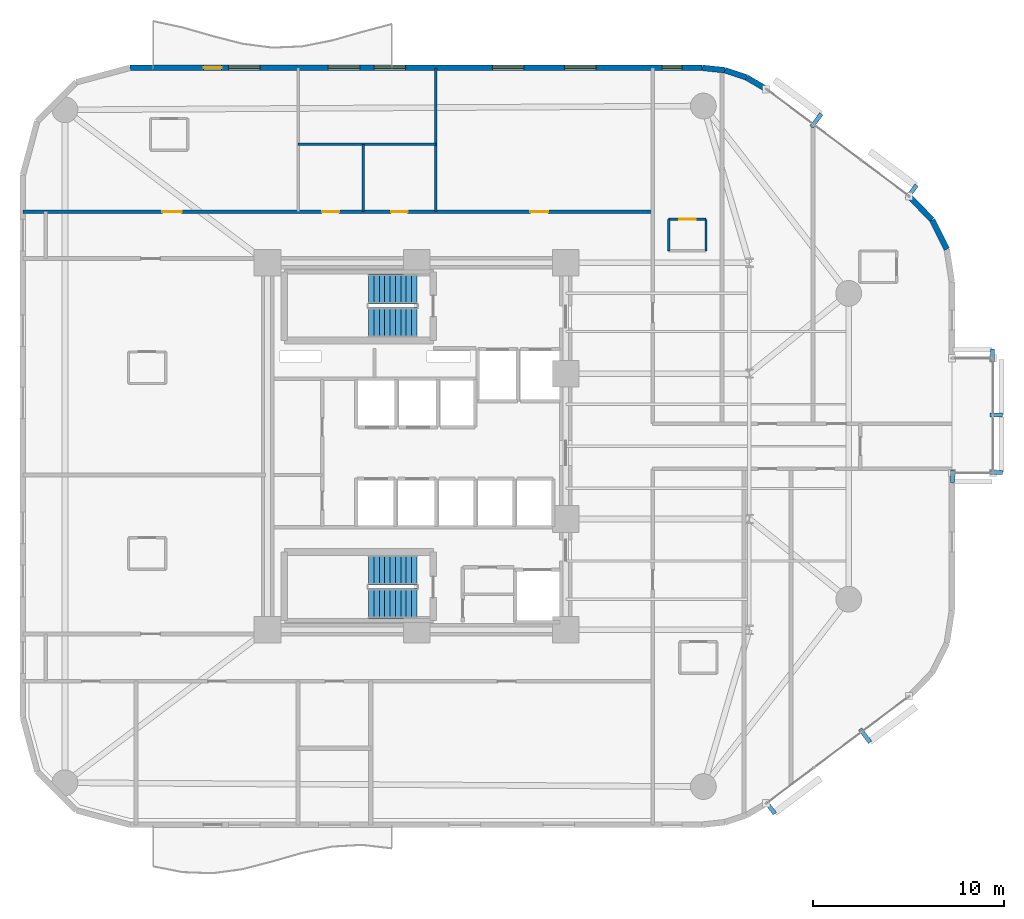
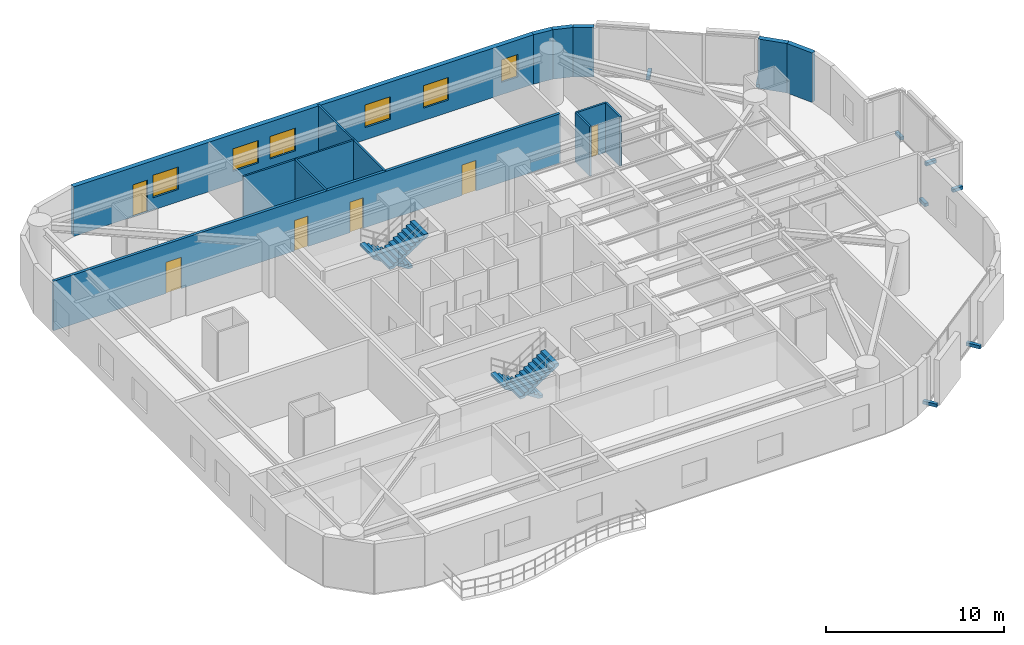
# One storey, part 11 of 14: 13 walls, 8 discrete accessories, 6 doors, 6 windows, 4 stair flights, 12 openings, 2 elements without a shape of their own.
"""IFC4 building model written with IfcOpenShell, lengths in metres."""

from ifc_helpers import new_model, si_unit, direction, frame, frame_2d, origin, origin_2d, place, context, subcontext, project, spatial, polyline, rectangle, outline, extrude, material, layer, layer_set, type_object, element, fill, aggregate, save


model = new_model("IFC4")

# Units and contexts
model_context = context("Model", 3, precision=1e-05, world=origin(), true_north=direction((0.0, 1.0)))
body_context = subcontext(model_context, "Body", "Model", "MODEL_VIEW")
ifc_project = project(units=[si_unit("LENGTHUNIT", "METRE"), si_unit("AREAUNIT", "SQUARE_METRE"), si_unit("VOLUMEUNIT", "CUBIC_METRE"), si_unit("PLANEANGLEUNIT", "RADIAN"), si_unit("MASSUNIT", "GRAM", prefix="KILO")], contexts=[model_context])

# Site, building, storey
site_placement = place(None, origin())
site = spatial("IfcSite", under=ifc_project, at=site_placement, CompositionType="ELEMENT")
building_placement = place(site_placement, origin())
building = spatial("IfcBuilding", under=site, at=building_placement, Name="An Khanh Terracotta Commons", CompositionType="ELEMENT")
storey_placement = place(building_placement, frame((0.0, 0.0, 93.5)))
storey = spatial("IfcBuildingStorey", under=building, at=storey_placement, Name="L24", CompositionType="ELEMENT", Elevation=93.5)

# Wall, openings, doors
ifc_material_1 = material(Name="Fire-Rated Gypsum Board on Steel Stud", Category="steel")
ifc_layer_1 = layer(ifc_material_1, 0.179931640625, Name="Fire-Rated Gypsum Board on Steel Stud")
ifc_layer_set_1 = layer_set([ifc_layer_1], Name="Fire-Rated Gypsum Board on Steel Stud")
wall_type_1 = type_object("IfcWallType", Name="WALL-CORR-180", PredefinedType="PARTITIONING", material=ifc_layer_set_1)
wall_1_placement = place(storey_placement, frame((8.800048828125, 36.280029296875, 0.0), z_axis=(0.0, 0.0, 1.0), x_axis=(1.0, 0.0, 0.0)))
wall_1 = element("IfcWall", 1, at=wall_1_placement, inside=storey, type_object=wall_type_1, Name="L24 Interior Partition IW-L24-E008", PredefinedType="PARTITIONING", context=body_context, shape_type="SweptSolid", body=[
    extrude(rectangle(XDim=32.949951171875, YDim=0.179931640625, at=frame_2d((16.47509765625, 0.0))), origin(), (0.0, 0.0, 1.0), 3.39990234375),
])
opening_1_placement = place(wall_1_placement, frame((15.64990234375, 0.0, 0.0)))
opening_1 = element("IfcOpeningElement", 2, at=opening_1_placement, cuts=wall_1, Name="Opening D-WC", PredefinedType="OPENING", context=body_context, shape_type="SweptSolid", body=[
    extrude(rectangle(XDim=0.89990234375, YDim=2.10009765625, at=frame_2d((0.449951171875, 1.050048828125))), frame((0.0, 0.099853515625, 0.0), z_axis=(0.0, -1.0, 0.0), x_axis=(1.0, 0.0, 0.0)), (0.0, 0.0, 1.0), 0.199951171875),
])
opening_2_placement = place(wall_1_placement, frame((19.27001953125, 0.0, 0.0)))
opening_2 = element("IfcOpeningElement", 3, at=opening_2_placement, cuts=wall_1, Name="Opening D-ENS", PredefinedType="OPENING", context=body_context, shape_type="SweptSolid", body=[
    extrude(rectangle(XDim=0.860107421875, YDim=2.10009765625, at=frame_2d((0.43017578125, 1.050048828125))), frame((0.0, 0.099853515625, 0.0), z_axis=(0.0, -1.0, 0.0), x_axis=(1.0, 0.0, 0.0)), (0.0, 0.0, 1.0), 0.199951171875),
])
opening_3_placement = place(wall_1_placement, frame((7.300048828125, 0.0, 0.0)))
opening_3 = element("IfcOpeningElement", 4, at=opening_3_placement, cuts=wall_1, Name="Opening D-UN", PredefinedType="OPENING", context=body_context, shape_type="SweptSolid", body=[
    extrude(rectangle(XDim=1.0, YDim=2.14990234375, at=frame_2d((0.5, 1.074951171875))), frame((0.0, 0.099853515625, 0.0), z_axis=(0.0, -1.0, 0.0), x_axis=(1.0, 0.0, 0.0)), (0.0, 0.0, 1.0), 0.199951171875),
])
opening_4_placement = place(wall_1_placement, frame((26.554931640625, 0.0, 0.0)))
opening_4 = element("IfcOpeningElement", 5, at=opening_4_placement, cuts=wall_1, Name="Opening D-RM", PredefinedType="OPENING", context=body_context, shape_type="SweptSolid", body=[
    extrude(rectangle(XDim=0.919921875, YDim=2.10009765625, at=frame_2d((0.4599609375, 1.050048828125))), frame((0.0, 0.099853515625, 0.0), z_axis=(0.0, -1.0, 0.0), x_axis=(1.0, 0.0, 0.0)), (0.0, 0.0, 1.0), 0.199951171875),
])
ifc_material_2 = material(Name="Moisture-Resistant Hardwood Timber Leaf", Category="wood")
door_type_1 = type_object("IfcDoorType", Name="DOOR-BATH-860", OperationType="NOTDEFINED", PredefinedType="DOOR", material=ifc_material_2)
door_1_placement = place(opening_2_placement, origin())
door_1 = element("IfcDoor", 6, at=door_1_placement, inside=storey, type_object=door_type_1, Name="L24 SHW Resident Shared Shower and Washroom Door", OperationType="SINGLE_SWING_RIGHT", OverallHeight=2.10009765625, OverallWidth=0.860107421875, PredefinedType="DOOR", context=body_context, shape_type="SweptSolid", body=[
    extrude(rectangle(XDim=0.860107421875, YDim=2.10009765625, at=frame_2d((0.43017578125, 1.050048828125))), frame((0.0, 0.02490234375, 0.0), z_axis=(0.0, -1.0, 0.0), x_axis=(1.0, 0.0, 0.0)), (0.0, 0.0, 1.0), 0.050048828125),
])
fill(opening_2, door_1)
ifc_material_3 = material(Name="Engineered Hardwood Timber Leaf", Category="wood")
door_type_2 = type_object("IfcDoorType", Name="DOOR-INT-920", OperationType="NOTDEFINED", PredefinedType="DOOR", material=ifc_material_3)
door_2_placement = place(opening_4_placement, origin())
door_2 = element("IfcDoor", 7, at=door_2_placement, inside=storey, type_object=door_type_2, Name="L24 NWE Quiet Focus Office Door", OperationType="SINGLE_SWING_RIGHT", OverallHeight=2.10009765625, OverallWidth=0.919921875, PredefinedType="DOOR", context=body_context, shape_type="SweptSolid", body=[
    extrude(rectangle(XDim=0.919921875, YDim=2.10009765625, at=frame_2d((0.4599609375, 1.050048828125))), frame((0.0, 0.02490234375, 0.0), z_axis=(0.0, -1.0, 0.0), x_axis=(1.0, 0.0, 0.0)), (0.0, 0.0, 1.0), 0.050048828125),
])
fill(opening_4, door_2)
ifc_material_4 = material(Name="Solid-Core Hardwood Acoustic Fire Door", Category="wood")
door_type_3 = type_object("IfcDoorType", Name="DOOR-UNIT-1000", OperationType="NOTDEFINED", PredefinedType="DOOR", material=ifc_material_4)
door_3_placement = place(opening_3_placement, origin())
door_3 = element("IfcDoor", 8, at=door_3_placement, inside=storey, type_object=door_type_3, Name="L24 NW1 Kitchenette and Studio Apartment Door", OperationType="SINGLE_SWING_LEFT", OverallHeight=2.14990234375, OverallWidth=1.0, PredefinedType="DOOR", context=body_context, shape_type="SweptSolid", body=[
    extrude(rectangle(XDim=1.0, YDim=2.14990234375, at=frame_2d((0.5, 1.074951171875))), frame((0.0, 0.02490234375, 0.0), z_axis=(0.0, -1.0, 0.0), x_axis=(1.0, 0.0, 0.0)), (0.0, 0.0, 1.0), 0.050048828125),
])
fill(opening_3, door_3)
ifc_material_5 = material(Name="Laminate Moisture-Resistant Timber Leaf", Category="wood")
door_type_4 = type_object("IfcDoorType", Name="DOOR-WC-900", OperationType="NOTDEFINED", PredefinedType="DOOR", material=ifc_material_5)
door_4_placement = place(opening_1_placement, origin())
door_4 = element("IfcDoor", 9, at=door_4_placement, inside=storey, type_object=door_type_4, Name="L24 AWC Accessible WC Door", OperationType="SINGLE_SWING_LEFT", OverallHeight=2.10009765625, OverallWidth=0.89990234375, PredefinedType="DOOR", context=body_context, shape_type="SweptSolid", body=[
    extrude(rectangle(XDim=0.89990234375, YDim=2.10009765625, at=frame_2d((0.449951171875, 1.050048828125))), frame((0.0, 0.02490234375, 0.0), z_axis=(0.0, -1.0, 0.0), x_axis=(1.0, 0.0, 0.0)), (0.0, 0.0, 1.0), 0.050048828125),
])
fill(opening_1, door_4)

# Walls
ifc_material_6 = material(Name="Precast concrete C40/50", Category="concrete")
ifc_layer_2 = layer(ifc_material_6, 0.300048828125, Name="Precast concrete C40/50")
ifc_layer_set_2 = layer_set([ifc_layer_2], Name="Precast concrete C40/50")
wall_type_2 = type_object("IfcWallType", Name="WALL-EXT-300", PredefinedType="SOLIDWALL", material=ifc_layer_set_2)
for number, where, z_axis, x_axis, name in (
    (10, (57.135009765625, 34.303955078125, 0.0), (0.0, 0.0, 1.0), (-0.4472135955, 0.894427191, 0.0), "L24 Insulated Terracotta Exterior Wall 14"),
    (11, (56.364013671875, 35.845947265625, 0.0), (0.0, 0.0, 1.0), (-0.6983450845, 0.715761233201, 0.0), "L24 Insulated Terracotta Exterior Wall 15"),
):
    element("IfcWall", number, at=place(storey_placement, frame(where, z_axis=z_axis, x_axis=x_axis)), inside=storey, type_object=wall_type_2, Name=name, PredefinedType="SOLIDWALL", context=body_context, shape_type="SweptSolid", body=[
        extrude(rectangle(XDim=1.72412109375, YDim=0.300048828125, at=frame_2d((0.862060546875, 0.0))), origin(), (0.0, 0.0, 1.0), 3.39990234375),
    ])
wall_2_placement = place(storey_placement, frame((47.693115234375, 42.679931640625, 0.0), z_axis=(0.0, 0.0, 1.0), x_axis=(-0.859320591642, 0.511437308749, 0.0)))
element("IfcWall", 12, at=wall_2_placement, inside=storey, type_object=wall_type_2, Name="L24 Insulated Terracotta Exterior Wall 17", PredefinedType="SOLIDWALL", context=body_context, shape_type="SweptSolid", body=[
    extrude(rectangle(XDim=1.19873046875, YDim=0.300048828125, at=frame_2d((0.599365234375, 0.0))), origin(), (0.0, 0.0, 1.0), 3.39990234375),
])
wall_3_placement = place(storey_placement, frame((46.6630859375, 43.29296875, 0.0), z_axis=(0.0, 0.0, 1.0), x_axis=(-0.948744332129, 0.316044604847, 0.0)))
element("IfcWall", 13, at=wall_3_placement, inside=storey, type_object=wall_type_2, Name="L24 Insulated Terracotta Exterior Wall 18", PredefinedType="SOLIDWALL", context=body_context, shape_type="SweptSolid", body=[
    extrude(rectangle(XDim=1.19970703125, YDim=0.300048828125, at=frame_2d((0.599853515625, 0.0))), origin(), (0.0, 0.0, 1.0), 3.39990234375),
])
wall_4_placement = place(storey_placement, frame((45.52490234375, 43.672119140625, 0.0), z_axis=(0.0, 0.0, 1.0), x_axis=(-0.994289103787, 0.106720092254, 0.0)))
element("IfcWall", 14, at=wall_4_placement, inside=storey, type_object=wall_type_2, Name="L24 Insulated Terracotta Exterior Wall 19", PredefinedType="SOLIDWALL", context=body_context, shape_type="SweptSolid", body=[
    extrude(rectangle(XDim=1.19873046875, YDim=0.300048828125, at=frame_2d((0.599365234375, 0.0))), origin(), (0.0, 0.0, 1.0), 3.39990234375),
])

# Wall, openings, door, windows
wall_5_placement = place(storey_placement, frame((44.3330078125, 43.800048828125, 0.0), z_axis=(0.0, 0.0, 1.0), x_axis=(-1.0, 0.0, 0.0)))
wall_5 = element("IfcWall", 15, at=wall_5_placement, inside=storey, type_object=wall_type_2, Name="L24 Insulated Terracotta Exterior Wall 20", PredefinedType="SOLIDWALL", context=body_context, shape_type="SweptSolid", body=[
    extrude(rectangle(XDim=29.93310546875, YDim=0.300048828125, at=frame_2d((14.966552734375, 0.0))), origin(), (0.0, 0.0, 1.0), 3.39990234375),
])
opening_5_placement = place(wall_5_placement, frame((25.133056640625, 0.0, 0.0)))
opening_5 = element("IfcOpeningElement", 16, at=opening_5_placement, cuts=wall_5, Name="Opening D-BAL", PredefinedType="OPENING", context=body_context, shape_type="SweptSolid", body=[
    extrude(rectangle(XDim=0.949951171875, YDim=2.199951171875, at=frame_2d((0.47509765625, 1.10009765625))), frame((0.0, 0.159912109375, 0.0), z_axis=(0.0, -1.0, 0.0), x_axis=(1.0, 0.0, 0.0)), (0.0, 0.0, 1.0), 0.320068359375),
])
opening_6_placement = place(wall_5_placement, frame((5.541015625, 0.0, 0.85009765625)))
opening_6 = element("IfcOpeningElement", 17, at=opening_6_placement, cuts=wall_5, Name="Opening W-02", PredefinedType="OPENING", context=body_context, shape_type="SweptSolid", body=[
    extrude(rectangle(XDim=1.64990234375, YDim=1.550048828125, at=frame_2d((0.824951171875, 0.77490234375))), frame((0.0, 0.159912109375, 0.0), z_axis=(0.0, -1.0, 0.0), x_axis=(1.0, 0.0, 0.0)), (0.0, 0.0, 1.0), 0.320068359375),
])
opening_7_placement = place(wall_5_placement, frame((9.324951171875, 0.0, 0.85009765625)))
opening_7 = element("IfcOpeningElement", 18, at=opening_7_placement, cuts=wall_5, Name="Opening W-02", PredefinedType="OPENING", context=body_context, shape_type="SweptSolid", body=[
    extrude(rectangle(XDim=1.64990234375, YDim=1.550048828125, at=frame_2d((0.824951171875, 0.77490234375))), frame((0.0, 0.159912109375, 0.0), z_axis=(0.0, -1.0, 0.0), x_axis=(1.0, 0.0, 0.0)), (0.0, 0.0, 1.0), 0.320068359375),
])
opening_8_placement = place(wall_5_placement, frame((15.508056640625, 0.0, 0.85009765625)))
opening_8 = element("IfcOpeningElement", 19, at=opening_8_placement, cuts=wall_5, Name="Opening W-02", PredefinedType="OPENING", context=body_context, shape_type="SweptSolid", body=[
    extrude(rectangle(XDim=1.64990234375, YDim=1.550048828125, at=frame_2d((0.824951171875, 0.77490234375))), frame((0.0, 0.159912109375, 0.0), z_axis=(0.0, -1.0, 0.0), x_axis=(1.0, 0.0, 0.0)), (0.0, 0.0, 1.0), 0.320068359375),
])
opening_9_placement = place(wall_5_placement, frame((17.907958984375, 0.0, 0.85009765625)))
opening_9 = element("IfcOpeningElement", 20, at=opening_9_placement, cuts=wall_5, Name="Opening W-02", PredefinedType="OPENING", context=body_context, shape_type="SweptSolid", body=[
    extrude(rectangle(XDim=1.64990234375, YDim=1.550048828125, at=frame_2d((0.824951171875, 0.77490234375))), frame((0.0, 0.159912109375, 0.0), z_axis=(0.0, -1.0, 0.0), x_axis=(1.0, 0.0, 0.0)), (0.0, 0.0, 1.0), 0.320068359375),
])
opening_10_placement = place(wall_5_placement, frame((23.125, 0.0, 0.85009765625)))
opening_10 = element("IfcOpeningElement", 21, at=opening_10_placement, cuts=wall_5, Name="Opening W-02", PredefinedType="OPENING", context=body_context, shape_type="SweptSolid", body=[
    extrude(rectangle(XDim=1.64990234375, YDim=1.550048828125, at=frame_2d((0.824951171875, 0.77490234375))), frame((0.0, 0.159912109375, 0.0), z_axis=(0.0, -1.0, 0.0), x_axis=(1.0, 0.0, 0.0)), (0.0, 0.0, 1.0), 0.320068359375),
])
opening_11_placement = place(wall_5_placement, frame((1.047119140625, 0.0, 0.85009765625)))
opening_11 = element("IfcOpeningElement", 22, at=opening_11_placement, cuts=wall_5, Name="Opening W-06", PredefinedType="OPENING", context=body_context, shape_type="SweptSolid", body=[
    extrude(rectangle(XDim=1.050048828125, YDim=1.550048828125, at=frame_2d((0.52490234375, 0.77490234375))), frame((0.0, 0.159912109375, 0.0), z_axis=(0.0, -1.0, 0.0), x_axis=(1.0, 0.0, 0.0)), (0.0, 0.0, 1.0), 0.320068359375),
])
ifc_material_7 = material(Name="Thermally Broken Aluminium and Low-E Glass", Category="aluminium")
door_type_5 = type_object("IfcDoorType", Name="DOOR-BALC-950", OperationType="NOTDEFINED", PredefinedType="DOOR", material=ifc_material_7)
door_5_placement = place(opening_5_placement, origin())
door_5 = element("IfcDoor", 23, at=door_5_placement, inside=storey, type_object=door_type_5, Name="L24 N Wave Balcony Glazed Door", OperationType="SINGLE_SWING_RIGHT", OverallHeight=2.199951171875, OverallWidth=0.949951171875, PredefinedType="DOOR", context=body_context, shape_type="SweptSolid", body=[
    extrude(rectangle(XDim=0.949951171875, YDim=2.199951171875, at=frame_2d((0.47509765625, 1.10009765625))), frame((0.0, 0.02490234375, 0.0), z_axis=(0.0, -1.0, 0.0), x_axis=(1.0, 0.0, 0.0)), (0.0, 0.0, 1.0), 0.050048828125),
])
fill(opening_5, door_5)
window_type_1 = type_object("IfcWindowType", Name="WIN-COR-1050x1550", PartitioningType="SINGLE_PANEL", PredefinedType="WINDOW", material=ifc_material_7)
window_1_placement = place(opening_11_placement, origin())
window_1 = element("IfcWindow", 24, at=window_1_placement, inside=storey, type_object=window_type_1, Name="L24 L24-NB1 Dwelling Casement Window", OverallHeight=1.550048828125, OverallWidth=1.050048828125, PartitioningType="SINGLE_PANEL", PredefinedType="WINDOW", context=body_context, shape_type="SweptSolid", body=[
    extrude(rectangle(XDim=1.050048828125, YDim=1.550048828125, at=frame_2d((0.52490234375, 0.77490234375))), frame((0.0, 0.030029296875, 0.0), z_axis=(0.0, -1.0, 0.0), x_axis=(1.0, 0.0, 0.0)), (0.0, 0.0, 1.0), 0.06005859375),
])
fill(opening_11, window_1)
window_type_2 = type_object("IfcWindowType", Name="WIN-Z2-1650x1550", PartitioningType="DOUBLE_PANEL_VERTICAL", PredefinedType="WINDOW", material=ifc_material_7)
window_2_placement = place(opening_6_placement, origin())
window_2 = element("IfcWindow", 25, at=window_2_placement, inside=storey, type_object=window_type_2, Name="L24 Operable Casement Window 20.1", OverallHeight=1.550048828125, OverallWidth=1.64990234375, PartitioningType="DOUBLE_PANEL_VERTICAL", PredefinedType="WINDOW", context=body_context, shape_type="SweptSolid", body=[
    extrude(rectangle(XDim=1.64990234375, YDim=1.550048828125, at=frame_2d((0.824951171875, 0.77490234375))), frame((0.0, 0.030029296875, 0.0), z_axis=(0.0, -1.0, 0.0), x_axis=(1.0, 0.0, 0.0)), (0.0, 0.0, 1.0), 0.06005859375),
])
fill(opening_6, window_2)
window_3_placement = place(opening_7_placement, origin())
window_3 = element("IfcWindow", 26, at=window_3_placement, inside=storey, type_object=window_type_2, Name="L24 Operable Casement Window 20.2", OverallHeight=1.550048828125, OverallWidth=1.64990234375, PartitioningType="DOUBLE_PANEL_VERTICAL", PredefinedType="WINDOW", context=body_context, shape_type="SweptSolid", body=[
    extrude(rectangle(XDim=1.64990234375, YDim=1.550048828125, at=frame_2d((0.824951171875, 0.77490234375))), frame((0.0, 0.030029296875, 0.0), z_axis=(0.0, -1.0, 0.0), x_axis=(1.0, 0.0, 0.0)), (0.0, 0.0, 1.0), 0.06005859375),
])
fill(opening_7, window_3)
window_4_placement = place(opening_8_placement, origin())
window_4 = element("IfcWindow", 27, at=window_4_placement, inside=storey, type_object=window_type_2, Name="L24 Operable Casement Window 20.3", OverallHeight=1.550048828125, OverallWidth=1.64990234375, PartitioningType="DOUBLE_PANEL_VERTICAL", PredefinedType="WINDOW", context=body_context, shape_type="SweptSolid", body=[
    extrude(rectangle(XDim=1.64990234375, YDim=1.550048828125, at=frame_2d((0.824951171875, 0.77490234375))), frame((0.0, 0.030029296875, 0.0), z_axis=(0.0, -1.0, 0.0), x_axis=(1.0, 0.0, 0.0)), (0.0, 0.0, 1.0), 0.06005859375),
])
fill(opening_8, window_4)
window_5_placement = place(opening_9_placement, origin())
window_5 = element("IfcWindow", 28, at=window_5_placement, inside=storey, type_object=window_type_2, Name="L24 Operable Casement Window 20.4", OverallHeight=1.550048828125, OverallWidth=1.64990234375, PartitioningType="DOUBLE_PANEL_VERTICAL", PredefinedType="WINDOW", context=body_context, shape_type="SweptSolid", body=[
    extrude(rectangle(XDim=1.64990234375, YDim=1.550048828125, at=frame_2d((0.824951171875, 0.77490234375))), frame((0.0, 0.030029296875, 0.0), z_axis=(0.0, -1.0, 0.0), x_axis=(1.0, 0.0, 0.0)), (0.0, 0.0, 1.0), 0.06005859375),
])
fill(opening_9, window_5)
window_6_placement = place(opening_10_placement, origin())
window_6 = element("IfcWindow", 29, at=window_6_placement, inside=storey, type_object=window_type_2, Name="L24 Operable Casement Window 20.5", OverallHeight=1.550048828125, OverallWidth=1.64990234375, PartitioningType="DOUBLE_PANEL_VERTICAL", PredefinedType="WINDOW", context=body_context, shape_type="SweptSolid", body=[
    extrude(rectangle(XDim=1.64990234375, YDim=1.550048828125, at=frame_2d((0.824951171875, 0.77490234375))), frame((0.0, 0.030029296875, 0.0), z_axis=(0.0, -1.0, 0.0), x_axis=(1.0, 0.0, 0.0)), (0.0, 0.0, 1.0), 0.06005859375),
])
fill(opening_10, window_6)

# Wall, opening, door
ifc_material_8 = material(Name="Moisture-Resistant Cement Board Partition")
ifc_layer_3 = layer(ifc_material_8, 0.1201171875, Name="Moisture-Resistant Cement Board Partition")
ifc_layer_set_3 = layer_set([ifc_layer_3], Name="Moisture-Resistant Cement Board Partition")
wall_type_3 = type_object("IfcWallType", Name="WALL-WET-120", PredefinedType="PARTITIONING", material=ifc_layer_set_3)
wall_6_placement = place(storey_placement, frame((42.5830078125, 35.875, 0.0), z_axis=(0.0, 0.0, 1.0), x_axis=(1.0, 0.0, 0.0)))
wall_6 = element("IfcWall", 30, at=wall_6_placement, inside=storey, type_object=wall_type_3, Name="L24 Interior Partition IW-L24-NB1-BN", PredefinedType="PARTITIONING", context=body_context, shape_type="SweptSolid", body=[
    extrude(rectangle(XDim=1.949951171875, YDim=0.1201171875, at=frame_2d((0.97509765625, 0.0))), origin(), (0.0, 0.0, 1.0), 3.39990234375),
])
opening_12_placement = place(wall_6_placement, frame((0.544921875, 0.0, 0.0)))
opening_12 = element("IfcOpeningElement", 31, at=opening_12_placement, cuts=wall_6, Name="Opening D-ENS", PredefinedType="OPENING", context=body_context, shape_type="SweptSolid", body=[
    extrude(rectangle(XDim=0.860107421875, YDim=2.10009765625, at=frame_2d((0.43017578125, 1.050048828125))), frame((0.0, 0.070068359375, 0.0), z_axis=(0.0, -1.0, 0.0), x_axis=(1.0, 0.0, 0.0)), (0.0, 0.0, 1.0), 0.14013671875),
])
door_6_placement = place(opening_12_placement, origin())
door_6 = element("IfcDoor", 32, at=door_6_placement, inside=storey, type_object=door_type_1, Name="L24 Studio NB1 En-suite Door", OperationType="SINGLE_SWING_LEFT", OverallHeight=2.10009765625, OverallWidth=0.860107421875, PredefinedType="DOOR", context=body_context, shape_type="SweptSolid", body=[
    extrude(rectangle(XDim=0.860107421875, YDim=2.10009765625, at=frame_2d((0.43017578125, 1.050048828125))), frame((0.0, 0.02490234375, 0.0), z_axis=(0.0, -1.0, 0.0), x_axis=(1.0, 0.0, 0.0)), (0.0, 0.0, 1.0), 0.050048828125),
])
fill(opening_12, door_6)

# Walls
for number, where, z_axis, x_axis, name in (
    (33, (42.5830078125, 35.875, 0.0), (0.0, 0.0, 1.0), (0.0, -1.0, 0.0), "L24 Interior Partition IW-L24-NB1-BW"),
    (34, (44.532958984375, 34.22509765625, 0.0), (0.0, 0.0, 1.0), (0.0, 1.0, 0.0), "L24 Interior Partition IW-L24-NB1-BE"),
):
    element("IfcWall", number, at=place(storey_placement, frame(where, z_axis=z_axis, x_axis=x_axis)), inside=storey, type_object=wall_type_3, Name=name, PredefinedType="PARTITIONING", context=body_context, shape_type="SweptSolid", body=[
        extrude(rectangle(XDim=1.64990234375, YDim=0.1201171875, at=frame_2d((0.824951171875, 0.0))), origin(), (0.0, 0.0, 1.0), 3.39990234375),
    ])
wall_7_placement = place(storey_placement, frame((23.199951171875, 39.800048828125, 0.0), z_axis=(0.0, 0.0, 1.0), x_axis=(1.0, 0.0, 0.0)))
element("IfcWall", 35, at=wall_7_placement, inside=storey, type_object=wall_type_3, Name="L24 Interior Partition IW-L24-E009", PredefinedType="PARTITIONING", context=body_context, shape_type="SweptSolid", body=[
    extrude(rectangle(XDim=7.199951171875, YDim=0.1201171875, at=frame_2d((3.60009765625, 0.0))), origin(), (0.0, 0.0, 1.0), 3.39990234375),
])
wall_8_placement = place(storey_placement, frame((26.60009765625, 36.280029296875, 0.0), z_axis=(0.0, 0.0, 1.0), x_axis=(0.0, 1.0, 0.0)))
element("IfcWall", 36, at=wall_8_placement, inside=storey, type_object=wall_type_3, Name="L24 Interior Partition IW-L24-E015", PredefinedType="PARTITIONING", context=body_context, shape_type="SweptSolid", body=[
    extrude(rectangle(XDim=3.52001953125, YDim=0.1201171875, at=frame_2d((1.760009765625, 0.0))), origin(), (0.0, 0.0, 1.0), 3.39990234375),
])
wall_9_placement = place(storey_placement, frame((30.39990234375, 36.280029296875, 0.0), z_axis=(0.0, 0.0, 1.0), x_axis=(0.0, 1.0, 0.0)))
element("IfcWall", 37, at=wall_9_placement, inside=storey, type_object=wall_type_3, Name="L24 Interior Partition IW-L24-E017", PredefinedType="PARTITIONING", context=body_context, shape_type="SweptSolid", body=[
    extrude(rectangle(XDim=7.52001953125, YDim=0.1201171875, at=frame_2d((3.760009765625, 0.0))), origin(), (0.0, 0.0, 1.0), 3.39990234375),
])

# Stair, stair flights
stair_type = type_object("IfcStairType", Name="STAIR-CORE-1550", PredefinedType="HALF_TURN_STAIR", material=ifc_material_6)
stair_1_placement = place(storey_placement, origin())
stair_1 = element("IfcStair", 38, at=stair_1_placement, inside=storey, type_object=stair_type, Name="L24 Core Smokeproof Exit Stair ST-01", PredefinedType="HALF_TURN_STAIR")
stair_flight_type = type_object("IfcStairFlightType", Name="FLIGHT-CORE-1550", PredefinedType="STRAIGHT", material=ifc_material_6)
stair_flight_1_placement = place(storey_placement, frame((29.409912109375, 32.22509765625, 0.0), z_axis=(0.0, 0.0, 1.0), x_axis=(-1.0, 0.0, 0.0)))
stair_flight_1 = element("IfcStairFlight", 39, at=stair_flight_1_placement, type_object=stair_flight_type, Name="ST-01 flight 1", NumberOfRisers=10, NumberOfTreads=9, PredefinedType="STRAIGHT", RiserHeight=0.18, TreadLength=0.28, context=body_context, shape_type="SweptSolid", body=[
    extrude(outline(polyline([(0.0, 0.0), (0.0, 0.179931640625), (0.280029296875, 0.179931640625), (0.280029296875, 0.360107421875), (0.56005859375, 0.360107421875), (0.56005859375, 0.5400390625), (0.840087890625, 0.5400390625), (0.840087890625, 0.719970703125), (1.1201171875, 0.719970703125), (1.1201171875, 0.89990234375), (1.39990234375, 0.89990234375), (1.39990234375, 1.080078125), (1.679931640625, 1.080078125), (1.679931640625, 1.260009765625), (1.9599609375, 1.260009765625), (1.9599609375, 1.43994140625), (2.239990234375, 1.43994140625), (2.239990234375, 1.6201171875), (2.52001953125, 1.6201171875), (2.52001953125, 1.800048828125), (2.52001953125, 1.44189453125), (0.277099609375, 0.0), (0.0, 0.0)])), frame((0.0, 0.77490234375, 0.0), z_axis=(0.0, -1.0, 0.0), x_axis=(1.0, 0.0, 0.0)), (0.0, 0.0, 1.0), 1.550048828125),
])
stair_flight_2_placement = place(storey_placement, frame((26.889892578125, 30.47509765625, 1.800048828125), z_axis=(0.0, 0.0, 1.0), x_axis=(1.0, 0.0, 0.0)))
stair_flight_2 = element("IfcStairFlight", 40, at=stair_flight_2_placement, type_object=stair_flight_type, Name="ST-01 flight 2", NumberOfRisers=10, NumberOfTreads=9, PredefinedType="STRAIGHT", RiserHeight=0.18, TreadLength=0.28, context=body_context, shape_type="SweptSolid", body=[
    extrude(outline(polyline([(0.0, 0.0), (0.0, 0.179931640625), (0.280029296875, 0.179931640625), (0.280029296875, 0.360107421875), (0.56005859375, 0.360107421875), (0.56005859375, 0.5400390625), (0.840087890625, 0.5400390625), (0.840087890625, 0.719970703125), (1.1201171875, 0.719970703125), (1.1201171875, 0.89990234375), (1.39990234375, 0.89990234375), (1.39990234375, 1.080078125), (1.679931640625, 1.080078125), (1.679931640625, 1.260009765625), (1.9599609375, 1.260009765625), (1.9599609375, 1.43994140625), (2.239990234375, 1.43994140625), (2.239990234375, 1.6201171875), (2.52001953125, 1.6201171875), (2.52001953125, 1.800048828125), (2.52001953125, 1.44189453125), (0.277099609375, 0.0), (0.0, 0.0)])), frame((0.0, 0.77490234375, 0.0), z_axis=(0.0, -1.0, 0.0), x_axis=(1.0, 0.0, 0.0)), (0.0, 0.0, 1.0), 1.550048828125),
])
aggregate(stair_1, [stair_flight_1, stair_flight_2])

stair_2_placement = place(storey_placement, origin())
stair_2 = element("IfcStair", 41, at=stair_2_placement, inside=storey, type_object=stair_type, Name="L24 Core Smokeproof Exit Stair ST-02", PredefinedType="HALF_TURN_STAIR")
stair_flight_3_placement = place(storey_placement, frame((29.409912109375, 17.52490234375, 0.0), z_axis=(0.0, 0.0, 1.0), x_axis=(-1.0, 0.0, 0.0)))
stair_flight_3 = element("IfcStairFlight", 42, at=stair_flight_3_placement, type_object=stair_flight_type, Name="ST-02 flight 1", NumberOfRisers=10, NumberOfTreads=9, PredefinedType="STRAIGHT", RiserHeight=0.18, TreadLength=0.28, context=body_context, shape_type="SweptSolid", body=[
    extrude(outline(polyline([(0.0, 0.0), (0.0, 0.179931640625), (0.280029296875, 0.179931640625), (0.280029296875, 0.360107421875), (0.56005859375, 0.360107421875), (0.56005859375, 0.5400390625), (0.840087890625, 0.5400390625), (0.840087890625, 0.719970703125), (1.1201171875, 0.719970703125), (1.1201171875, 0.89990234375), (1.39990234375, 0.89990234375), (1.39990234375, 1.080078125), (1.679931640625, 1.080078125), (1.679931640625, 1.260009765625), (1.9599609375, 1.260009765625), (1.9599609375, 1.43994140625), (2.239990234375, 1.43994140625), (2.239990234375, 1.6201171875), (2.52001953125, 1.6201171875), (2.52001953125, 1.800048828125), (2.52001953125, 1.44189453125), (0.277099609375, 0.0), (0.0, 0.0)])), frame((0.0, 0.77490234375, 0.0), z_axis=(0.0, -1.0, 0.0), x_axis=(1.0, 0.0, 0.0)), (0.0, 0.0, 1.0), 1.550048828125),
])
stair_flight_4_placement = place(storey_placement, frame((26.889892578125, 15.77490234375, 1.800048828125), z_axis=(0.0, 0.0, 1.0), x_axis=(1.0, 0.0, 0.0)))
stair_flight_4 = element("IfcStairFlight", 43, at=stair_flight_4_placement, type_object=stair_flight_type, Name="ST-02 flight 2", NumberOfRisers=10, NumberOfTreads=9, PredefinedType="STRAIGHT", RiserHeight=0.18, TreadLength=0.28, context=body_context, shape_type="SweptSolid", body=[
    extrude(outline(polyline([(0.0, 0.0), (0.0, 0.179931640625), (0.280029296875, 0.179931640625), (0.280029296875, 0.360107421875), (0.56005859375, 0.360107421875), (0.56005859375, 0.5400390625), (0.840087890625, 0.5400390625), (0.840087890625, 0.719970703125), (1.1201171875, 0.719970703125), (1.1201171875, 0.89990234375), (1.39990234375, 0.89990234375), (1.39990234375, 1.080078125), (1.679931640625, 1.080078125), (1.679931640625, 1.260009765625), (1.9599609375, 1.260009765625), (1.9599609375, 1.43994140625), (2.239990234375, 1.43994140625), (2.239990234375, 1.6201171875), (2.52001953125, 1.6201171875), (2.52001953125, 1.800048828125), (2.52001953125, 1.44189453125), (0.277099609375, 0.0), (0.0, 0.0)])), frame((0.0, 0.77490234375, 0.0), z_axis=(0.0, -1.0, 0.0), x_axis=(1.0, 0.0, 0.0)), (0.0, 0.0, 1.0), 1.550048828125),
])
aggregate(stair_2, [stair_flight_3, stair_flight_4])

# Discrete accessories
ifc_material_9 = material(Name="Stainless Steel Grade 316L", Category="steel")
discrete_accessory_type = type_object("IfcDiscreteAccessoryType", Name="Stainless Outrigger Facade Bracket", PredefinedType="BRACKET", material=ifc_material_9)
for number, where, z_axis, x_axis, name in (
    (44, (47.8798828125, 5.12890625, 0.06982421875), (0.0, 0.0, 1.0), (0.800012856594, 0.599982857492, 0.0), "L24 Terracotta Screen Outrigger Bracket 1"),
    (45, (52.85791015625, 8.862060546875, 0.06982421875), (0.0, 0.0, 1.0), (0.800012856594, 0.599982857492, 0.0), "L24 Terracotta Screen Outrigger Bracket 3"),
):
    element("IfcDiscreteAccessory", number, at=place(storey_placement, frame(where, z_axis=z_axis, x_axis=x_axis)), inside=storey, type_object=discrete_accessory_type, Name=name, PredefinedType="BRACKET", context=body_context, shape_type="SweptSolid", body=[
        extrude(rectangle(XDim=0.219970703125, YDim=0.8701171875, at=origin_2d()), origin(), (0.0, 0.0, 1.0), 0.219970703125),
    ])
for number, where, z_axis, x_axis, name in (
    (46, (59.715087890625, 22.633056640625, 0.06982421875), (0.0, 0.0, 1.0), (0.0, 1.0, 0.0), "L24 Terracotta Screen Outrigger Bracket 1"),
    (47, (59.715087890625, 25.633056640625, 0.06982421875), (0.0, 0.0, 1.0), (0.0, 1.0, 0.0), "L24 Terracotta Screen Outrigger Bracket 2"),
    (48, (57.431884765625, 22.43505859375, 0.06982421875), (0.0, 0.0, 1.0), (1.0, 0.0, 0.0), "L24 Terracotta Screen Outrigger Bracket 1"),
    (49, (59.51708984375, 28.764892578125, 0.06982421875), (0.0, 0.0, 1.0), (-1.0, 0.0, 0.0), "L24 Terracotta Screen Outrigger Bracket 1"),
):
    element("IfcDiscreteAccessory", number, at=place(storey_placement, frame(where, z_axis=z_axis, x_axis=x_axis)), inside=storey, type_object=discrete_accessory_type, Name=name, PredefinedType="BRACKET", context=body_context, shape_type="SweptSolid", body=[
        extrude(rectangle(XDim=0.219970703125, YDim=0.669921875, at=origin_2d()), origin(), (0.0, 0.0, 1.0), 0.219970703125),
    ])
for number, where, z_axis, x_axis, name in (
    (50, (55.291015625, 37.31298828125, 0.06982421875), (0.0, 0.0, 1.0), (-0.800012856594, 0.599982857492, 0.0), "L24 Terracotta Screen Outrigger Bracket 1"),
    (51, (50.31298828125, 41.0458984375, 0.06982421875), (0.0, 0.0, 1.0), (-0.800012856594, 0.599982857492, 0.0), "L24 Terracotta Screen Outrigger Bracket 3"),
):
    element("IfcDiscreteAccessory", number, at=place(storey_placement, frame(where, z_axis=z_axis, x_axis=x_axis)), inside=storey, type_object=discrete_accessory_type, Name=name, PredefinedType="BRACKET", context=body_context, shape_type="SweptSolid", body=[
        extrude(rectangle(XDim=0.219970703125, YDim=0.8701171875, at=origin_2d()), origin(), (0.0, 0.0, 1.0), 0.219970703125),
    ])

save(model, "model.ifc")
